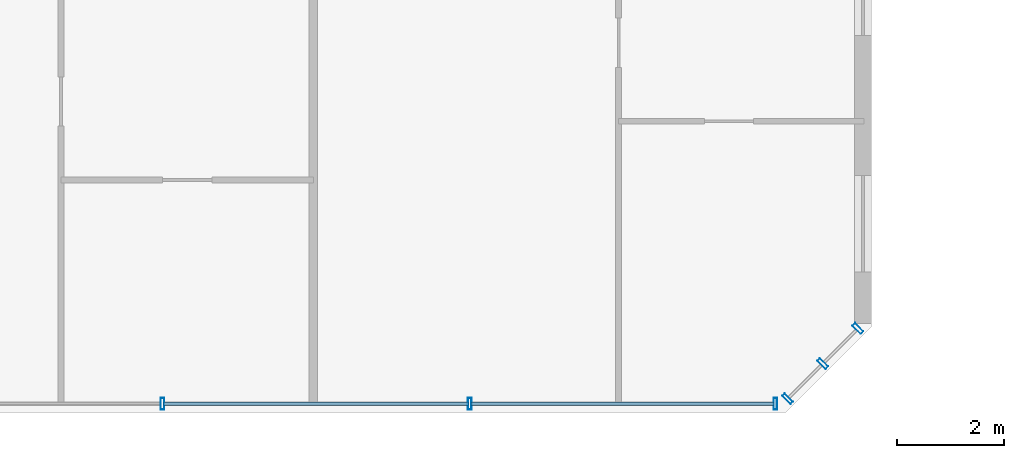
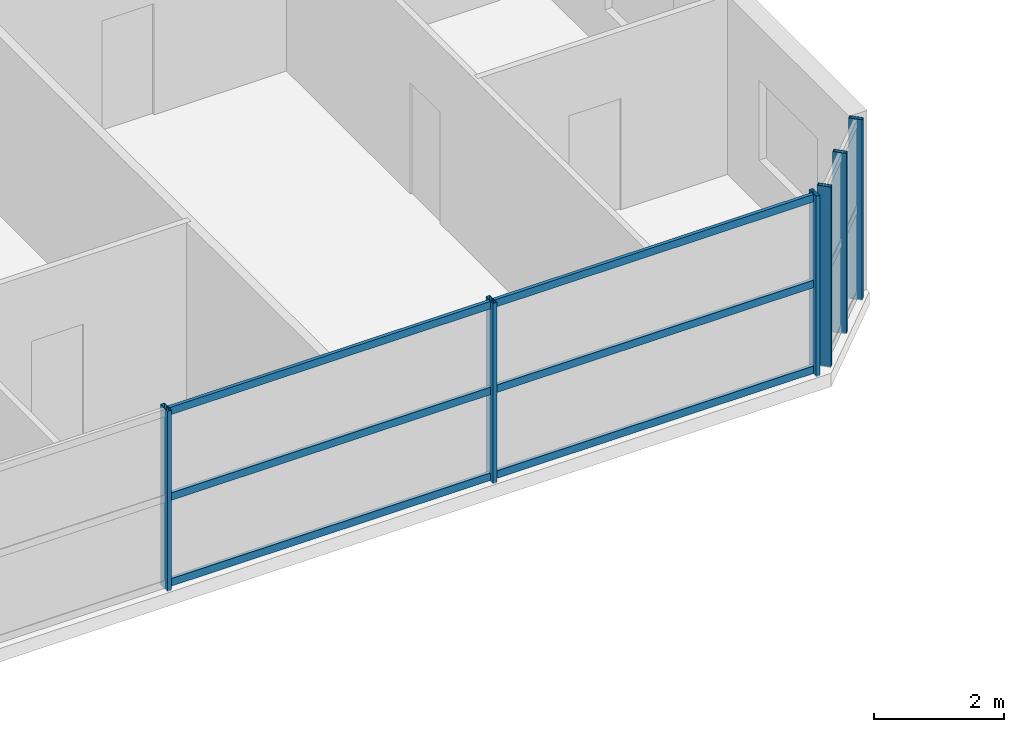
# One storey, part 6 of 21: 12 members, 2 elements without a shape of their own.
"""IFC4 building model written with IfcOpenShell, lengths in metres."""

from ifc_helpers import new_model, si_unit, direction, frame, origin, origin_2d, place, context, subcontext, project, spatial, hollow_rectangle, extrude, source, transform, mapped, material, material_profile, profile_set, type_object, element, aggregate, save


model = new_model("IFC4")

# Units and contexts
model_context = context("Model", 3, precision=1e-05, world=origin(), true_north=direction((0.0, 1.0)))
body_context = subcontext(model_context, "Body", "Model", "MODEL_VIEW")
ifc_project = project(units=[si_unit("LENGTHUNIT", "METRE"), si_unit("AREAUNIT", "SQUARE_METRE"), si_unit("VOLUMEUNIT", "CUBIC_METRE"), si_unit("PLANEANGLEUNIT", "RADIAN"), si_unit("MASSUNIT", "GRAM", prefix="KILO")], contexts=[model_context])

# Site, building, storey
site_placement = place(None, origin())
site = spatial("IfcSite", under=ifc_project, at=site_placement, CompositionType="ELEMENT")
building_placement = place(site_placement, origin())
building = spatial("IfcBuilding", under=site, at=building_placement, Name="Tlacorven Tower", CompositionType="ELEMENT")
storey_placement = place(building_placement, frame((0.0, 0.0, 93.60009765625)))
storey = spatial("IfcBuildingStorey", under=building, at=storey_placement, Name="L23", CompositionType="ELEMENT", Elevation=93.60009765625)

# Curtain wall, members
ifc_material_1 = material(Name="Dark solar low-E double glazing in aluminium frame", Category="aluminium")
curtain_wall_type = type_object("IfcCurtainWallType", Name="CW-TWR-LOW", PredefinedType="USERDEFINED", material=ifc_material_1)
curtain_wall_1_placement = place(storey_placement, origin())
curtain_wall_1 = element("IfcCurtainWall", 1, at=curtain_wall_1_placement, inside=storey, type_object=curtain_wall_type, Name="L23 CW-TWR-LOW Curtain Wall 120", ObjectType="UNITISED CURTAIN WALL", PredefinedType="USERDEFINED")
ifc_material_2 = material(Name="Aluminium 6063-T6 anodised", Category="aluminium")
ifc_material_profile_1 = material_profile(ifc_material_2, hollow_rectangle(XDim=0.06005859375, YDim=0.139892578125, WallThickness=0.00390625, at=origin_2d()), Name="ALU TRANSOM 60X140")
ifc_profile_set_1 = profile_set([ifc_material_profile_1], Name="Aluminium 6063-T6 anodised")
member_type_1 = type_object("IfcMemberType", Name="CWT-02", PredefinedType="USERDEFINED", material=ifc_profile_set_1)
shared_shape_1 = source(origin(), body_context, "Body", "SweptSolid", [
    extrude(hollow_rectangle(XDim=0.06005859375, YDim=0.139892578125, WallThickness=0.00390625, at=origin_2d()), origin(), (0.0, 0.0, 1.0), 5.6748046875),
])
member_1_placement = place(storey_placement, frame((50.57568359375, 1.9599609375, 0.06982421875), z_axis=(-1.0, 0.0, 0.0), x_axis=(0.0, -1.0, 0.0)))
member_1 = element("IfcMember", 2, at=member_1_placement, type_object=member_type_1, Name="CW-L23-120 Transom 1", ObjectType="TRANSOM", PredefinedType="USERDEFINED", context=body_context, shape_type="MappedRepresentation", body=[
    mapped(shared_shape_1, transform((0.0, 0.0, 0.0), scale=1.0)),
])
member_2_placement = place(storey_placement, frame((50.57568359375, 1.9599609375, 1.6748046875), z_axis=(-1.0, 0.0, 0.0), x_axis=(0.0, -1.0, 0.0)))
member_2 = element("IfcMember", 3, at=member_2_placement, type_object=member_type_1, Name="CW-L23-120 Transom 2", ObjectType="TRANSOM", PredefinedType="USERDEFINED", context=body_context, shape_type="MappedRepresentation", body=[
    mapped(shared_shape_1, transform((0.0, 0.0, 0.0), scale=1.0)),
])
member_3_placement = place(storey_placement, frame((50.57568359375, 1.9599609375, 3.27978515625), z_axis=(-1.0, 0.0, 0.0), x_axis=(0.0, -1.0, 0.0)))
member_3 = element("IfcMember", 4, at=member_3_placement, type_object=member_type_1, Name="CW-L23-120 Transom 3", ObjectType="TRANSOM", PredefinedType="USERDEFINED", context=body_context, shape_type="MappedRepresentation", body=[
    mapped(shared_shape_1, transform((0.0, 0.0, 0.0), scale=1.0)),
])
shared_shape_2 = source(origin(), body_context, "Body", "SweptSolid", [
    extrude(hollow_rectangle(XDim=0.06005859375, YDim=0.139892578125, WallThickness=0.00390625, at=origin_2d()), origin(), (0.0, 0.0, 1.0), 5.7099609375),
])
member_4_placement = place(storey_placement, frame((44.85498046875, 1.9599609375, 0.06982421875), z_axis=(-1.0, 0.0, 0.0), x_axis=(0.0, -1.0, 0.0)))
member_4 = element("IfcMember", 5, at=member_4_placement, type_object=member_type_1, Name="CW-L23-120 Transom 4", ObjectType="TRANSOM", PredefinedType="USERDEFINED", context=body_context, shape_type="MappedRepresentation", body=[
    mapped(shared_shape_2, transform((0.0, 0.0, 0.0), scale=1.0)),
])
member_5_placement = place(storey_placement, frame((44.85498046875, 1.9599609375, 1.6748046875), z_axis=(-1.0, 0.0, 0.0), x_axis=(0.0, -1.0, 0.0)))
member_5 = element("IfcMember", 6, at=member_5_placement, type_object=member_type_1, Name="CW-L23-120 Transom 5", ObjectType="TRANSOM", PredefinedType="USERDEFINED", context=body_context, shape_type="MappedRepresentation", body=[
    mapped(shared_shape_2, transform((0.0, 0.0, 0.0), scale=1.0)),
])
member_6_placement = place(storey_placement, frame((44.85498046875, 1.9599609375, 3.27978515625), z_axis=(-1.0, 0.0, 0.0), x_axis=(0.0, -1.0, 0.0)))
member_6 = element("IfcMember", 7, at=member_6_placement, type_object=member_type_1, Name="CW-L23-120 Transom 6", ObjectType="TRANSOM", PredefinedType="USERDEFINED", context=body_context, shape_type="MappedRepresentation", body=[
    mapped(shared_shape_2, transform((0.0, 0.0, 0.0), scale=1.0)),
])

curtain_wall_2_placement = place(storey_placement, origin())
curtain_wall_2 = element("IfcCurtainWall", 8, at=curtain_wall_2_placement, inside=storey, type_object=curtain_wall_type, Name="L23 CW-TWR-LOW Curtain Wall 119", ObjectType="UNITISED CURTAIN WALL", PredefinedType="USERDEFINED")
ifc_material_profile_2 = material_profile(ifc_material_2, hollow_rectangle(XDim=0.070068359375, YDim=0.219970703125, WallThickness=0.0048828125, at=origin_2d()), Name="ALU MULLION 70X220")
ifc_profile_set_2 = profile_set([ifc_material_profile_2], Name="Aluminium 6063-T6 anodised")
member_type_2 = type_object("IfcMemberType", Name="CWM-01", PredefinedType="MULLION", material=ifc_profile_set_2)
shared_shape_3 = source(origin(), body_context, "Body", "SweptSolid", [
    extrude(hollow_rectangle(XDim=0.070068359375, YDim=0.219970703125, WallThickness=0.0048828125, at=origin_2d()), origin(), (0.0, 0.0, 1.0), 3.3798828125),
])
member_7_placement = place(storey_placement, frame((52.14453125, 3.370849609375, -0.02001953125), z_axis=(0.0, 0.0, 1.0), x_axis=(-0.707106781187, -0.707106781187, 0.0)))
member_7 = element("IfcMember", 9, at=member_7_placement, type_object=member_type_2, Name="CW-L23-119 Mullion 1", PredefinedType="MULLION", context=body_context, shape_type="MappedRepresentation", body=[
    mapped(shared_shape_3, transform((0.0, 0.0, 0.0), scale=1.0)),
])
member_8_placement = place(storey_placement, frame((51.48681640625, 2.713134765625, -0.02001953125), z_axis=(0.0, 0.0, 1.0), x_axis=(-0.707106781187, -0.707106781187, 0.0)))
member_8 = element("IfcMember", 10, at=member_8_placement, type_object=member_type_2, Name="CW-L23-119 Mullion 2", PredefinedType="MULLION", context=body_context, shape_type="MappedRepresentation", body=[
    mapped(shared_shape_3, transform((0.0, 0.0, 0.0), scale=1.0)),
])
member_9_placement = place(storey_placement, frame((50.8291015625, 2.055419921875, -0.02001953125), z_axis=(0.0, 0.0, 1.0), x_axis=(-0.707106781187, -0.707106781187, 0.0)))
member_9 = element("IfcMember", 11, at=member_9_placement, type_object=member_type_2, Name="CW-L23-119 Mullion 3", PredefinedType="MULLION", context=body_context, shape_type="MappedRepresentation", body=[
    mapped(shared_shape_3, transform((0.0, 0.0, 0.0), scale=1.0)),
])
aggregate(curtain_wall_2, [member_7, member_8, member_9])

# Member
member_10_placement = place(storey_placement, frame((50.5986328125, 1.9599609375, -0.02001953125), z_axis=(0.0, 0.0, 1.0), x_axis=(-1.0, 0.0, 0.0)))
member_10 = element("IfcMember", 12, at=member_10_placement, type_object=member_type_2, Name="CW-L23-120 Mullion 1", PredefinedType="MULLION", context=body_context, shape_type="MappedRepresentation", body=[
    mapped(shared_shape_3, transform((0.0, 0.0, 0.0), scale=1.0)),
])

member_11_placement = place(storey_placement, frame((44.8779296875, 1.9599609375, -0.02001953125), z_axis=(0.0, 0.0, 1.0), x_axis=(-1.0, 0.0, 0.0)))
member_11 = element("IfcMember", 13, at=member_11_placement, type_object=member_type_2, Name="CW-L23-120 Mullion 2", PredefinedType="MULLION", context=body_context, shape_type="MappedRepresentation", body=[
    mapped(shared_shape_3, transform((0.0, 0.0, 0.0), scale=1.0)),
])

member_12_placement = place(storey_placement, frame((39.1220703125, 1.9599609375, -0.02001953125), z_axis=(0.0, 0.0, 1.0), x_axis=(-1.0, 0.0, 0.0)))
member_12 = element("IfcMember", 14, at=member_12_placement, type_object=member_type_2, Name="CW-L23-120 Mullion 3", PredefinedType="MULLION", context=body_context, shape_type="MappedRepresentation", body=[
    mapped(shared_shape_3, transform((0.0, 0.0, 0.0), scale=1.0)),
])

aggregate(curtain_wall_1, [member_10, member_11, member_12, member_1, member_2, member_3, member_4, member_5, member_6])

save(model, "model.ifc")
